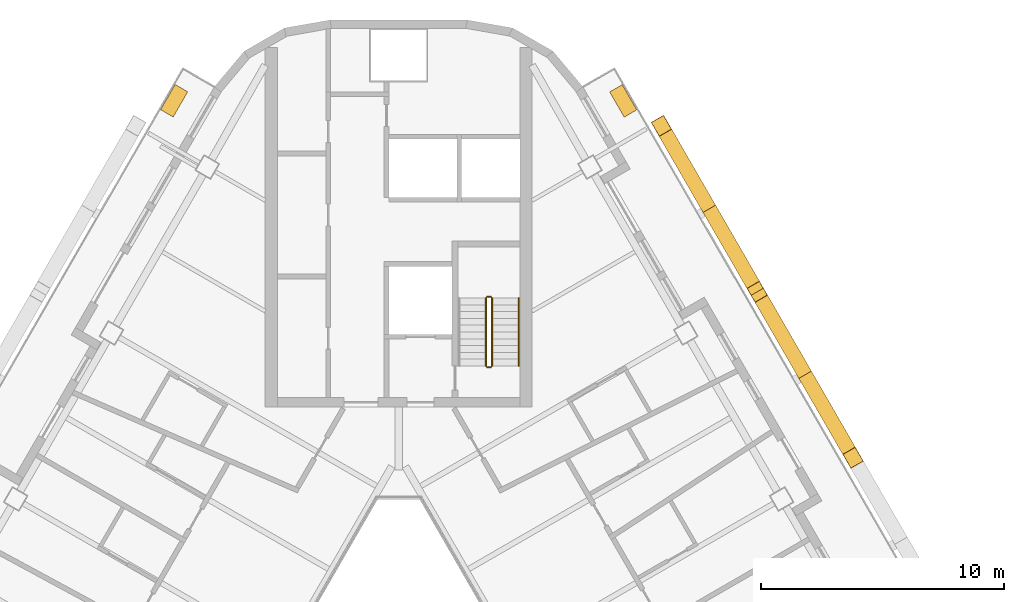
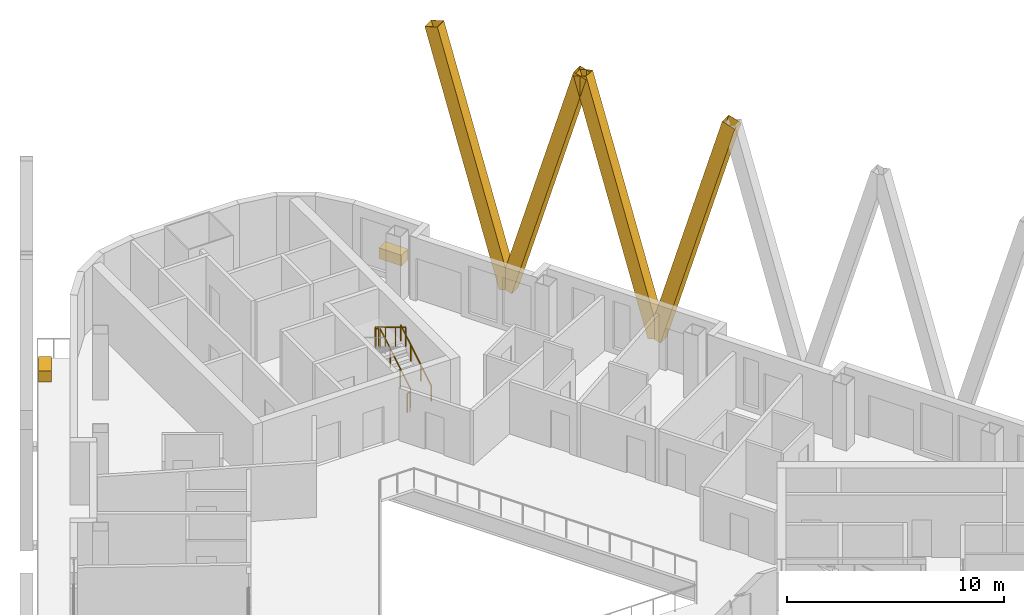
# One storey, part 14 of 14: 5 railings, 4 shading devices, 2 coverings.
"""IFC4 building model written with IfcOpenShell, lengths in metres."""

from ifc_helpers import new_model, si_unit, direction, frame, origin, origin_2d, place, context, subcontext, project, spatial, rectangle, hollow_rectangle, circle, extrude, material, material_profile, profile_set, type_object, element, save


model = new_model("IFC4")

# Units and contexts
model_context = context("Model", 3, precision=1e-05, world=origin(), true_north=direction((0.0, 1.0)))
body_context = subcontext(model_context, "Body", "Model", "MODEL_VIEW")
ifc_project = project(units=[si_unit("LENGTHUNIT", "METRE"), si_unit("AREAUNIT", "SQUARE_METRE"), si_unit("VOLUMEUNIT", "CUBIC_METRE"), si_unit("PLANEANGLEUNIT", "RADIAN"), si_unit("MASSUNIT", "GRAM", prefix="KILO")], contexts=[model_context])

# Site, building, storey
site_placement = place(None, origin())
site = spatial("IfcSite", under=ifc_project, at=site_placement, CompositionType="ELEMENT")
building_placement = place(site_placement, origin())
building = spatial("IfcBuilding", under=site, at=building_placement, Name="Apuvela Tower Hotel", CompositionType="ELEMENT")
storey_placement = place(building_placement, frame((0.0, 0.0, 224.300048828125)))
storey = spatial("IfcBuildingStorey", under=building, at=storey_placement, Name="L55", CompositionType="ELEMENT", Elevation=224.300048828125)

# Railings
ifc_material_1 = material(Name="Steel S275 balustrade", Category="steel")
railing_type_1 = type_object("IfcRailingType", Name="COR-GUARD-1100", PredefinedType="GUARDRAIL", material=ifc_material_1)
railing_1_placement = place(storey_placement, frame((3.85009765625, 14.60009765625, 0.168212890625)))
element("IfcRailing", 1, at=railing_1_placement, inside=storey, type_object=railing_type_1, Name="L55 ST1 stair guard 1", PredefinedType="GUARDRAIL", context=body_context, shape_type="SweptSolid", body=[
    extrude(rectangle(XDim=0.048095703125, YDim=0.048095703125, at=origin_2d()), frame((0.0, 0.0, 1.076171875), z_axis=(0.0, 0.857255387014, 0.514891446264), x_axis=(-1.0, 0.0, 0.0)), (0.0, 0.0, 1.0), 3.26611328125),
    extrude(rectangle(XDim=0.0419921875, YDim=0.0419921875, at=origin_2d()), origin(), (0.0, 0.0, 1.0), 1.052001953125),
    extrude(rectangle(XDim=0.0419921875, YDim=0.0419921875, at=origin_2d()), frame((0.0, 0.933349609375, 0.560546875)), (0.0, 0.0, 1.0), 1.052001953125),
    extrude(rectangle(XDim=0.0419921875, YDim=0.0419921875, at=origin_2d()), frame((0.0, 1.866455078125, 1.12109375)), (0.0, 0.0, 1.0), 1.052001953125),
    extrude(rectangle(XDim=0.0419921875, YDim=0.0419921875, at=origin_2d()), frame((0.0, 2.7998046875, 1.681640625)), (0.0, 0.0, 1.0), 1.052001953125),
])
railing_2_placement = place(storey_placement, frame((3.800048828125, 17.449951171875, 1.849853515625)))
element("IfcRailing", 2, at=railing_2_placement, inside=storey, type_object=railing_type_1, Name="L55 ST1 stair guard 2", PredefinedType="GUARDRAIL", context=body_context, shape_type="SweptSolid", body=[
    extrude(rectangle(XDim=0.048095703125, YDim=0.048095703125, at=origin_2d()), frame((0.0, 0.0, 1.076171875), z_axis=(-1.0, 0.0, 0.0), x_axis=(0.0, -1.0, 0.0)), (0.0, 0.0, 1.0), 0.150146484375),
    extrude(rectangle(XDim=0.0419921875, YDim=0.0419921875, at=origin_2d()), origin(), (0.0, 0.0, 1.0), 1.052001953125),
    extrude(rectangle(XDim=0.0419921875, YDim=0.0419921875, at=origin_2d()), frame((-0.150146484375, 0.0, 0.0)), (0.0, 0.0, 1.0), 1.052001953125),
])
railing_3_placement = place(storey_placement, frame((3.60009765625, 17.39990234375, 2.01806640625)))
element("IfcRailing", 3, at=railing_3_placement, inside=storey, type_object=railing_type_1, Name="L55 ST1 stair guard 3", PredefinedType="GUARDRAIL", context=body_context, shape_type="SweptSolid", body=[
    extrude(rectangle(XDim=0.048095703125, YDim=0.048095703125, at=origin_2d()), frame((0.0, 0.0, 1.076171875), z_axis=(0.0, -0.857222391501, 0.514946377315), x_axis=(1.0, 0.0, 0.0)), (0.0, 0.0, 1.0), 3.26611328125),
    extrude(rectangle(XDim=0.0419921875, YDim=0.0419921875, at=origin_2d()), origin(), (0.0, 0.0, 1.0), 1.052001953125),
    extrude(rectangle(XDim=0.0419921875, YDim=0.0419921875, at=origin_2d()), frame((0.0, -0.933349609375, 0.560546875)), (0.0, 0.0, 1.0), 1.052001953125),
    extrude(rectangle(XDim=0.0419921875, YDim=0.0419921875, at=origin_2d()), frame((0.0, -1.866455078125, 1.121337890625)), (0.0, 0.0, 1.0), 1.052001953125),
    extrude(rectangle(XDim=0.0419921875, YDim=0.0419921875, at=origin_2d()), frame((0.0, -2.7998046875, 1.681884765625)), (0.0, 0.0, 1.0), 1.052001953125),
])
railing_4_placement = place(storey_placement, frame((3.800048828125, 14.550048828125, 0.0)))
element("IfcRailing", 4, at=railing_4_placement, inside=storey, type_object=railing_type_1, Name="L55 ST1 stair guard 4", PredefinedType="GUARDRAIL", context=body_context, shape_type="SweptSolid", body=[
    extrude(rectangle(XDim=0.048095703125, YDim=0.048095703125, at=origin_2d()), frame((0.0, 0.0, 1.076171875), z_axis=(-1.0, 0.0, 0.0), x_axis=(0.0, -1.0, 0.0)), (0.0, 0.0, 1.0), 0.150146484375),
    extrude(rectangle(XDim=0.0419921875, YDim=0.0419921875, at=origin_2d()), origin(), (0.0, 0.0, 1.0), 1.052001953125),
    extrude(rectangle(XDim=0.0419921875, YDim=0.0419921875, at=origin_2d()), frame((-0.150146484375, 0.0, 0.0)), (0.0, 0.0, 1.0), 1.052001953125),
])
ifc_material_2 = material(Name="Stainless steel 316 handrail", Category="steel")
railing_type_2 = type_object("IfcRailingType", Name="COR-HANDRAIL-900", PredefinedType="HANDRAIL", material=ifc_material_2)
railing_5_placement = place(storey_placement, frame((4.949951171875, 14.60009765625, 0.168212890625)))
element("IfcRailing", 5, at=railing_5_placement, inside=storey, type_object=railing_type_2, Name="L55 ST1 stair handrail 1", PredefinedType="HANDRAIL", context=body_context, shape_type="SweptSolid", body=[
    extrude(circle(Radius=0.02392578125, at=origin_2d()), frame((0.0, 0.0, 0.8759765625), z_axis=(0.0, 0.857255387014, 0.514891446264), x_axis=(-1.0, 0.0, 0.0)), (0.0, 0.0, 1.0), 3.26611328125),
    extrude(rectangle(XDim=0.0419921875, YDim=0.0419921875, at=origin_2d()), origin(), (0.0, 0.0, 1.0), 0.851806640625),
    extrude(rectangle(XDim=0.0419921875, YDim=0.0419921875, at=origin_2d()), frame((0.0, 0.933349609375, 0.560546875)), (0.0, 0.0, 1.0), 0.851806640625),
    extrude(rectangle(XDim=0.0419921875, YDim=0.0419921875, at=origin_2d()), frame((0.0, 1.866455078125, 1.12109375)), (0.0, 0.0, 1.0), 0.851806640625),
    extrude(rectangle(XDim=0.0419921875, YDim=0.0419921875, at=origin_2d()), frame((0.0, 2.7998046875, 1.681640625)), (0.0, 0.0, 1.0), 0.851806640625),
])

# Shading devices
ifc_material_3 = material(Name="Aluminium 6063-T6, black anodised", Category="aluminium")
ifc_material_profile = material_profile(ifc_material_3, hollow_rectangle(XDim=0.60009765625, YDim=0.699951171875, WallThickness=0.011962890625, at=origin_2d()), Name="AL BOX 700x600x12")
ifc_profile_set = profile_set([ifc_material_profile], Name="Aluminium 6063-T6, black anodised")
shading_device_type = type_object("IfcShadingDeviceType", Name="ENV-FIN-700x600", PredefinedType="USERDEFINED", material=ifc_profile_set)
for number, where, z_axis, x_axis, name in (
    (6, (16.757080078125, 14.23583984375, -0.10009765625), (0.141378979785, -0.244870490079, 0.959192591278), (0.866020906874, 0.500007788796, 0.0), "Lattice fin NE493"),
    (7, (16.757080078125, 14.23583984375, -0.10009765625), (-0.14137958477, 0.244854062078, 0.959196695831), (-0.866005453737, -0.500034552904, 0.0), "Lattice fin NE494"),
    (8, (12.80712890625, 21.077392578125, -0.10009765625), (0.141361853257, -0.244871095047, 0.959194961024), (0.866047669374, 0.499961432884, 0.0), "Lattice fin NE495"),
    (9, (12.80712890625, 21.077392578125, -0.10009765625), (-0.141378979785, 0.244870490079, 0.959192591278), (-0.866020906874, -0.500007788796, 0.0), "Lattice fin NE496"),
):
    element("IfcShadingDevice", number, at=place(storey_placement, frame(where, z_axis=z_axis, x_axis=x_axis)), inside=storey, type_object=shading_device_type, Name=name, ObjectType="FIN", PredefinedType="USERDEFINED", context=body_context, shape_type="SweptSolid", body=[
        extrude(hollow_rectangle(XDim=0.60009765625, YDim=0.699951171875, WallThickness=0.011962890625, at=origin_2d()), origin(), (0.0, 0.0, 1.0), 13.97021484375),
    ])

# Coverings
ifc_material_4 = material(Name="Planting substrate and soil, planted")
covering_type = type_object("IfcCoveringType", Name="ENV-PLANTER-1200x600", PredefinedType="USERDEFINED", material=ifc_material_4)
for number, where, z_axis, x_axis, name in (
    (10, (9.2578125, 25.52490234375, 0.0), (0.0, 0.0, 1.0), (-0.5, 0.866025403784, 0.0), "Planter NE3"),
    (11, (-9.253662109375, 25.5322265625, 0.0), (0.0, 0.0, 1.0), (-0.5, -0.866025403784, 0.0), "Planter NW4"),
):
    element("IfcCovering", number, at=place(storey_placement, frame(where, z_axis=z_axis, x_axis=x_axis)), inside=storey, type_object=covering_type, Name=name, ObjectType="PLANTER", PredefinedType="USERDEFINED", context=body_context, shape_type="SweptSolid", body=[
        extrude(rectangle(XDim=1.199951171875, YDim=0.60009765625, at=origin_2d()), origin(), (0.0, 0.0, 1.0), 0.60009765625),
    ])

save(model, "model.ifc")
